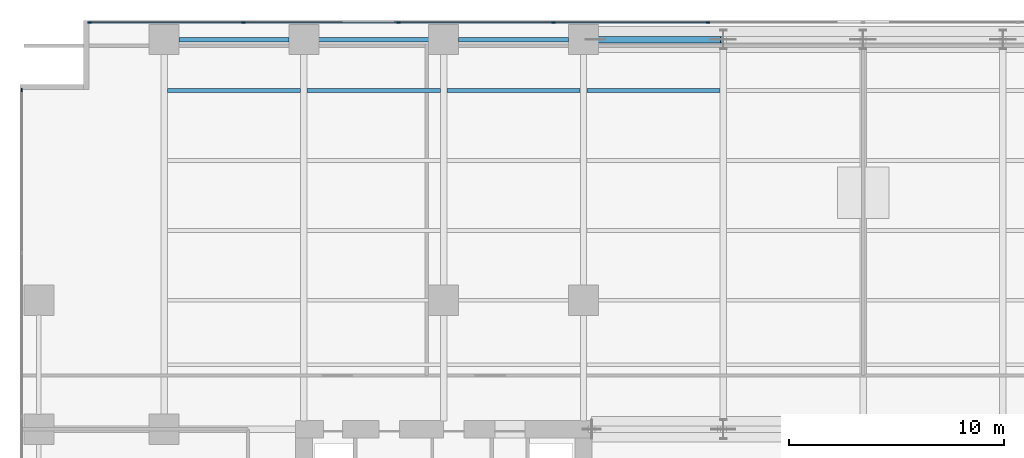
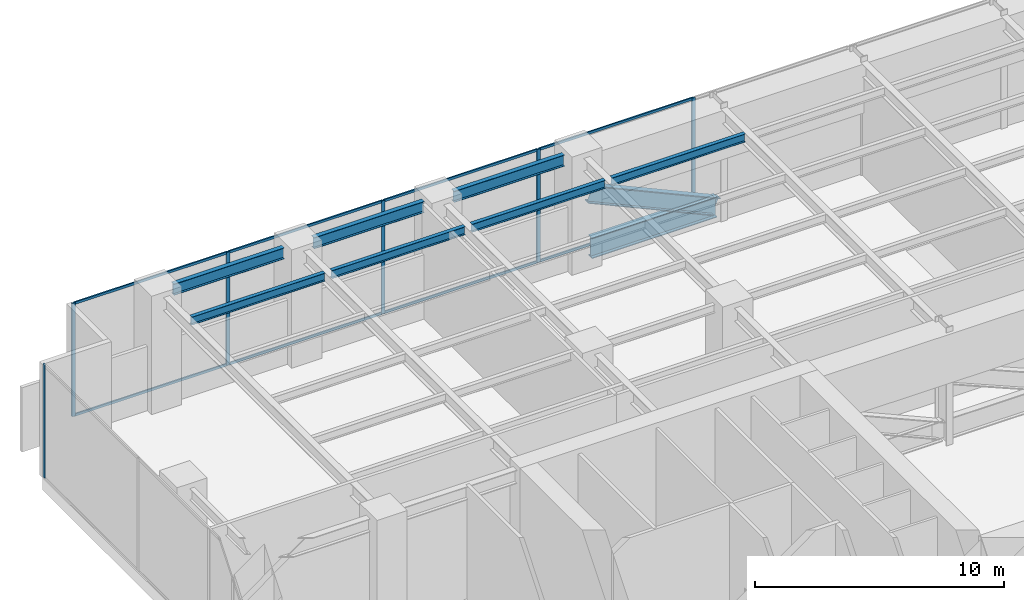
# One storey, part 11 of 25: 15 members, 8 beams, 2 elements without a shape of their own.
"""IFC4 building model written with IfcOpenShell, lengths in metres."""

from ifc_helpers import new_model, si_unit, direction, frame, origin, origin_2d, place, context, subcontext, project, spatial, rectangle, i_section, extrude, material, layer, layer_set, material_profile, profile_set, type_object, element, aggregate, save


model = new_model("IFC4")

# Units and contexts
model_context = context("Model", 3, precision=1e-05, world=origin(), true_north=direction((0.0, 1.0)))
body_context = subcontext(model_context, "Body", "Model", "MODEL_VIEW")
ifc_project = project(units=[si_unit("LENGTHUNIT", "METRE"), si_unit("AREAUNIT", "SQUARE_METRE"), si_unit("VOLUMEUNIT", "CUBIC_METRE"), si_unit("PLANEANGLEUNIT", "RADIAN"), si_unit("MASSUNIT", "GRAM", prefix="KILO")], contexts=[model_context])

# Site, building, storey
site_placement = place(None, origin())
site = spatial("IfcSite", under=ifc_project, at=site_placement, CompositionType="ELEMENT")
building_placement = place(site_placement, origin())
building = spatial("IfcBuilding", under=site, at=building_placement, Name="Putna Gate Headquarters", CompositionType="ELEMENT")
storey_placement = place(building_placement, frame((0.0, 0.0, 22.0)))
storey = spatial("IfcBuildingStorey", under=building, at=storey_placement, Name="L04", CompositionType="ELEMENT", Elevation=22.0)

# Beams
ifc_material_1 = material(Name="Steel S355J2", Category="steel")
ifc_material_profile_1 = material_profile(ifc_material_1, i_section(OverallWidth=0.179931640625, OverallDepth=0.39990234375, WebThickness=0.008544921875, FlangeThickness=0.013427734375, at=origin_2d()), Name="Steel S355J2")
ifc_profile_set_1 = profile_set([ifc_material_profile_1], Name="Steel S355J2")
beam_type_1 = type_object("IfcBeamType", Name="BM-SEC-Z1-IPE400", PredefinedType="BEAM", material=ifc_profile_set_1)
for number, where, z_axis, x_axis, name in (
    (1, (6.654052734375, 48.75, 5.35009765625), (1.0, 0.0, 0.0), (0.0, 1.0, 0.0), "L04 North Secondary Beam 1"),
    (2, (13.154052734375, 48.75, 5.35009765625), (1.0, 0.0, 0.0), (0.0, 1.0, 0.0), "L04 North Secondary Beam 2"),
    (3, (19.654052734375, 48.75, 5.35009765625), (1.0, 0.0, 0.0), (0.0, 1.0, 0.0), "L04 North Secondary Beam 3"),
    (4, (26.154052734375, 48.75, 5.35009765625), (1.0, 0.0, 0.0), (0.0, 1.0, 0.0), "L04 North Secondary Beam 4"),
):
    element("IfcBeam", number, at=place(storey_placement, frame(where, z_axis=z_axis, x_axis=x_axis)), inside=storey, type_object=beam_type_1, Name=name, PredefinedType="BEAM", context=body_context, shape_type="SweptSolid", body=[
        extrude(i_section(OverallWidth=0.179931640625, OverallDepth=0.39990234375, WebThickness=0.008544921875, FlangeThickness=0.013427734375, at=origin_2d()), origin(), (0.0, 0.0, 1.0), 6.19189453125),
    ])
ifc_material_profile_2 = material_profile(ifc_material_1, i_section(OverallWidth=0.2099609375, OverallDepth=0.550048828125, WebThickness=0.010986328125, FlangeThickness=0.01708984375, at=origin_2d()), Name="Steel S355J2")
ifc_profile_set_2 = profile_set([ifc_material_profile_2], Name="Steel S355J2")
beam_type_2 = type_object("IfcBeamType", Name="BM-SPAN-Z1-IPE550", PredefinedType="SPANDREL", material=ifc_profile_set_2)
for number, where, z_axis, x_axis, name in (
    (5, (7.18798828125, 51.1201171875, 5.27490234375), (1.0, 0.0, 0.0), (0.0, 1.0, 0.0), "L04 N Perimeter Spandrel 1"),
    (6, (13.68798828125, 51.1201171875, 5.27490234375), (1.0, 0.0, 0.0), (0.0, 1.0, 0.0), "L04 N Perimeter Spandrel 2"),
    (7, (20.18798828125, 51.1201171875, 5.27490234375), (1.0, 0.0, 0.0), (0.0, 1.0, 0.0), "L04 N Perimeter Spandrel 3"),
):
    element("IfcBeam", number, at=place(storey_placement, frame(where, z_axis=z_axis, x_axis=x_axis)), inside=storey, type_object=beam_type_2, Name=name, PredefinedType="SPANDREL", context=body_context, shape_type="SweptSolid", body=[
        extrude(i_section(OverallWidth=0.2099609375, OverallDepth=0.550048828125, WebThickness=0.010986328125, FlangeThickness=0.01708984375, at=origin_2d()), origin(), (0.0, 0.0, 1.0), 5.1240234375),
    ])
ifc_material_2 = material(Name="Steel S460M", Category="steel")
ifc_material_profile_3 = material_profile(ifc_material_2, i_section(OverallWidth=0.302001953125, OverallDepth=1.008056640625, WebThickness=0.02099609375, FlangeThickness=0.0400390625, at=origin_2d()), Name="Steel S460M")
ifc_profile_set_3 = profile_set([ifc_material_profile_3], Name="Steel S460M")
beam_type_3 = type_object("IfcBeamType", Name="BM-TG-HEM1000-EXT", PredefinedType="USERDEFINED", material=ifc_profile_set_3)
beam_placement = place(storey_placement, frame((26.56005859375, 51.1201171875, 0.550048828125), z_axis=(1.0, 0.0, 0.0), x_axis=(0.0, 1.0, 0.0)))
element("IfcBeam", 8, at=beam_placement, inside=storey, type_object=beam_type_3, Name="L04 Transfer Truss N Bottom Chord Girder 1", ObjectType="GIRDER", PredefinedType="USERDEFINED", context=body_context, shape_type="SweptSolid", body=[
    extrude(i_section(OverallWidth=0.302001953125, OverallDepth=1.008056640625, WebThickness=0.02099609375, FlangeThickness=0.0400390625, at=origin_2d()), origin(), (0.0, 0.0, 1.0), 5.800048828125),
])

# Member
ifc_material_profile_4 = material_profile(ifc_material_2, i_section(OverallWidth=0.302978515625, OverallDepth=0.81396484375, WebThickness=0.02099609375, FlangeThickness=0.0400390625, at=origin_2d()), Name="Steel S460M")
ifc_profile_set_4 = profile_set([ifc_material_profile_4], Name="Steel S460M")
member_type_1 = type_object("IfcMemberType", Name="MEM-TRUSS-DIAG-EXT-HEM800", PredefinedType="BRACE", material=ifc_profile_set_4)
member_1_placement = place(storey_placement, frame((26.56005859375, 51.1201171875, 3.179931640625), z_axis=(0.910750758001, 0.0, -0.412956482939), x_axis=(0.0, 1.0, 0.0)))
element("IfcMember", 9, at=member_1_placement, inside=storey, type_object=member_type_1, Name="L04 Transfer Truss N Diagonal 1", PredefinedType="BRACE", context=body_context, shape_type="SweptSolid", body=[
    extrude(i_section(OverallWidth=0.302978515625, OverallDepth=0.81396484375, WebThickness=0.02099609375, FlangeThickness=0.0400390625, at=origin_2d()), origin(), (0.0, 0.0, 1.0), 6.368408203125),
])

# Curtain wall, members
ifc_material_3 = material(Name="Anodised bronze aluminium curtain wall", Category="aluminium")
ifc_layer = layer(ifc_material_3, 0.159912109375)
ifc_layer_set = layer_set([ifc_layer], Name="Anodised bronze aluminium curtain wall")
curtain_wall_type = type_object("IfcCurtainWallType", Name="CW-SYS-CRN", PredefinedType="USERDEFINED", material=ifc_layer_set)
curtain_wall_1_placement = place(storey_placement, origin())
curtain_wall_1 = element("IfcCurtainWall", 10, at=curtain_wall_1_placement, inside=storey, type_object=curtain_wall_type, Name="L04 Acoustic Louvre North Enclosure", ObjectType="STICK CURTAIN WALL", PredefinedType="USERDEFINED")
ifc_material_4 = material(Name="Anodised bronze aluminium EN AW-6060", Category="aluminium")
ifc_material_profile_5 = material_profile(ifc_material_4, rectangle(XDim=0.06494140625, YDim=0.159912109375, at=origin_2d()), Name="Anodised bronze aluminium EN AW-6060")
ifc_profile_set_5 = profile_set([ifc_material_profile_5], Name="Anodised bronze aluminium EN AW-6060")
member_type_2 = type_object("IfcMemberType", Name="MULL-CWM-CR", PredefinedType="MULLION", material=ifc_profile_set_5)
member_2_placement = place(storey_placement, frame((3.032470703125, 51.919921875, 0.0), z_axis=(0.0, 0.0, 1.0), x_axis=(0.0, 1.0, 0.0)))
member_2 = element("IfcMember", 11, at=member_2_placement, type_object=member_type_2, Name="CWS-CR mullion 1", PredefinedType="MULLION", context=body_context, shape_type="SweptSolid", body=[
    extrude(rectangle(XDim=0.06494140625, YDim=0.159912109375, at=origin_2d()), origin(), (0.0, 0.0, 1.0), 5.550048828125),
])
member_3_placement = place(storey_placement, frame((10.199951171875, 51.919921875, 0.0), z_axis=(0.0, 0.0, 1.0), x_axis=(0.0, 1.0, 0.0)))
member_3 = element("IfcMember", 12, at=member_3_placement, type_object=member_type_2, Name="CWS-CR mullion 2", PredefinedType="MULLION", context=body_context, shape_type="SweptSolid", body=[
    extrude(rectangle(XDim=0.06494140625, YDim=0.159912109375, at=origin_2d()), origin(), (0.0, 0.0, 1.0), 5.550048828125),
])
member_4_placement = place(storey_placement, frame((17.39990234375, 51.919921875, 0.0), z_axis=(0.0, 0.0, 1.0), x_axis=(0.0, 1.0, 0.0)))
member_4 = element("IfcMember", 13, at=member_4_placement, type_object=member_type_2, Name="CWS-CR mullion 3", PredefinedType="MULLION", context=body_context, shape_type="SweptSolid", body=[
    extrude(rectangle(XDim=0.06494140625, YDim=0.159912109375, at=origin_2d()), origin(), (0.0, 0.0, 1.0), 5.550048828125),
])
member_5_placement = place(storey_placement, frame((24.60009765625, 51.919921875, 0.0), z_axis=(0.0, 0.0, 1.0), x_axis=(0.0, 1.0, 0.0)))
member_5 = element("IfcMember", 14, at=member_5_placement, type_object=member_type_2, Name="CWS-CR mullion 4", PredefinedType="MULLION", context=body_context, shape_type="SweptSolid", body=[
    extrude(rectangle(XDim=0.06494140625, YDim=0.159912109375, at=origin_2d()), origin(), (0.0, 0.0, 1.0), 5.550048828125),
])
member_6_placement = place(storey_placement, frame((31.800048828125, 51.919921875, 0.0), z_axis=(0.0, 0.0, 1.0), x_axis=(0.0, 1.0, 0.0)))
member_6 = element("IfcMember", 15, at=member_6_placement, type_object=member_type_2, Name="CWS-CR mullion 5", PredefinedType="MULLION", context=body_context, shape_type="SweptSolid", body=[
    extrude(rectangle(XDim=0.06494140625, YDim=0.159912109375, at=origin_2d()), origin(), (0.0, 0.0, 1.0), 5.550048828125),
])

# Curtain wall, member
curtain_wall_2_placement = place(storey_placement, origin())
curtain_wall_2 = element("IfcCurtainWall", 16, at=curtain_wall_2_placement, inside=storey, type_object=curtain_wall_type, Name="L04 Acoustic Louvre West Enclosure", ObjectType="STICK CURTAIN WALL", PredefinedType="USERDEFINED")
member_7_placement = place(storey_placement, frame((-0.1201171875, 48.767578125, 0.0), z_axis=(0.0, 0.0, 1.0), x_axis=(-1.0, 0.0, 0.0)))
member_7 = element("IfcMember", 17, at=member_7_placement, type_object=member_type_2, Name="CWS-CR mullion 7", PredefinedType="MULLION", context=body_context, shape_type="SweptSolid", body=[
    extrude(rectangle(XDim=0.06494140625, YDim=0.159912109375, at=origin_2d()), origin(), (0.0, 0.0, 1.0), 5.550048828125),
])
aggregate(curtain_wall_2, [member_7])

# Member
ifc_material_profile_6 = material_profile(ifc_material_4, rectangle(XDim=0.06494140625, YDim=0.1201171875, at=origin_2d()), Name="Anodised bronze aluminium EN AW-6060")
ifc_profile_set_6 = profile_set([ifc_material_profile_6], Name="Anodised bronze aluminium EN AW-6060")
member_type_3 = type_object("IfcMemberType", Name="TRAN-CWT-CR", PredefinedType="USERDEFINED", material=ifc_profile_set_6)
member_8_placement = place(storey_placement, frame((3.06494140625, 51.919921875, 0.032470703125), z_axis=(1.0, 0.0, 0.0), x_axis=(0.0, 1.0, 0.0)))
member_8 = element("IfcMember", 18, at=member_8_placement, type_object=member_type_3, Name="CWS-CR transom 1.1", ObjectType="TRANSOM", PredefinedType="USERDEFINED", context=body_context, shape_type="SweptSolid", body=[
    extrude(rectangle(XDim=0.06494140625, YDim=0.1201171875, at=origin_2d()), origin(), (0.0, 0.0, 1.0), 7.1025390625),
])

member_9_placement = place(storey_placement, frame((3.06494140625, 51.919921875, 5.517578125), z_axis=(1.0, 0.0, 0.0), x_axis=(0.0, 1.0, 0.0)))
member_9 = element("IfcMember", 19, at=member_9_placement, type_object=member_type_3, Name="CWS-CR transom 1.2", ObjectType="TRANSOM", PredefinedType="USERDEFINED", context=body_context, shape_type="SweptSolid", body=[
    extrude(rectangle(XDim=0.06494140625, YDim=0.1201171875, at=origin_2d()), origin(), (0.0, 0.0, 1.0), 7.1025390625),
])

member_10_placement = place(storey_placement, frame((10.232421875, 51.919921875, 0.032470703125), z_axis=(1.0, 0.0, 0.0), x_axis=(0.0, 1.0, 0.0)))
member_10 = element("IfcMember", 20, at=member_10_placement, type_object=member_type_3, Name="CWS-CR transom 2.1", ObjectType="TRANSOM", PredefinedType="USERDEFINED", context=body_context, shape_type="SweptSolid", body=[
    extrude(rectangle(XDim=0.06494140625, YDim=0.1201171875, at=origin_2d()), origin(), (0.0, 0.0, 1.0), 7.135009765625),
])

member_11_placement = place(storey_placement, frame((10.232421875, 51.919921875, 5.517578125), z_axis=(1.0, 0.0, 0.0), x_axis=(0.0, 1.0, 0.0)))
member_11 = element("IfcMember", 21, at=member_11_placement, type_object=member_type_3, Name="CWS-CR transom 2.2", ObjectType="TRANSOM", PredefinedType="USERDEFINED", context=body_context, shape_type="SweptSolid", body=[
    extrude(rectangle(XDim=0.06494140625, YDim=0.1201171875, at=origin_2d()), origin(), (0.0, 0.0, 1.0), 7.135009765625),
])

member_12_placement = place(storey_placement, frame((17.4326171875, 51.919921875, 0.032470703125), z_axis=(1.0, 0.0, 0.0), x_axis=(0.0, 1.0, 0.0)))
member_12 = element("IfcMember", 22, at=member_12_placement, type_object=member_type_3, Name="CWS-CR transom 3.1", ObjectType="TRANSOM", PredefinedType="USERDEFINED", context=body_context, shape_type="SweptSolid", body=[
    extrude(rectangle(XDim=0.06494140625, YDim=0.1201171875, at=origin_2d()), origin(), (0.0, 0.0, 1.0), 7.134765625),
])

member_13_placement = place(storey_placement, frame((17.4326171875, 51.919921875, 5.517578125), z_axis=(1.0, 0.0, 0.0), x_axis=(0.0, 1.0, 0.0)))
member_13 = element("IfcMember", 23, at=member_13_placement, type_object=member_type_3, Name="CWS-CR transom 3.2", ObjectType="TRANSOM", PredefinedType="USERDEFINED", context=body_context, shape_type="SweptSolid", body=[
    extrude(rectangle(XDim=0.06494140625, YDim=0.1201171875, at=origin_2d()), origin(), (0.0, 0.0, 1.0), 7.134765625),
])

member_14_placement = place(storey_placement, frame((24.632568359375, 51.919921875, 0.032470703125), z_axis=(1.0, 0.0, 0.0), x_axis=(0.0, 1.0, 0.0)))
member_14 = element("IfcMember", 24, at=member_14_placement, type_object=member_type_3, Name="CWS-CR transom 4.1", ObjectType="TRANSOM", PredefinedType="USERDEFINED", context=body_context, shape_type="SweptSolid", body=[
    extrude(rectangle(XDim=0.06494140625, YDim=0.1201171875, at=origin_2d()), origin(), (0.0, 0.0, 1.0), 7.135009765625),
])

member_15_placement = place(storey_placement, frame((24.632568359375, 51.919921875, 5.517578125), z_axis=(1.0, 0.0, 0.0), x_axis=(0.0, 1.0, 0.0)))
member_15 = element("IfcMember", 25, at=member_15_placement, type_object=member_type_3, Name="CWS-CR transom 4.2", ObjectType="TRANSOM", PredefinedType="USERDEFINED", context=body_context, shape_type="SweptSolid", body=[
    extrude(rectangle(XDim=0.06494140625, YDim=0.1201171875, at=origin_2d()), origin(), (0.0, 0.0, 1.0), 7.135009765625),
])

aggregate(curtain_wall_1, [member_2, member_3, member_4, member_5, member_6, member_8, member_9, member_10, member_11, member_12, member_13, member_14, member_15])

save(model, "model.ifc")
